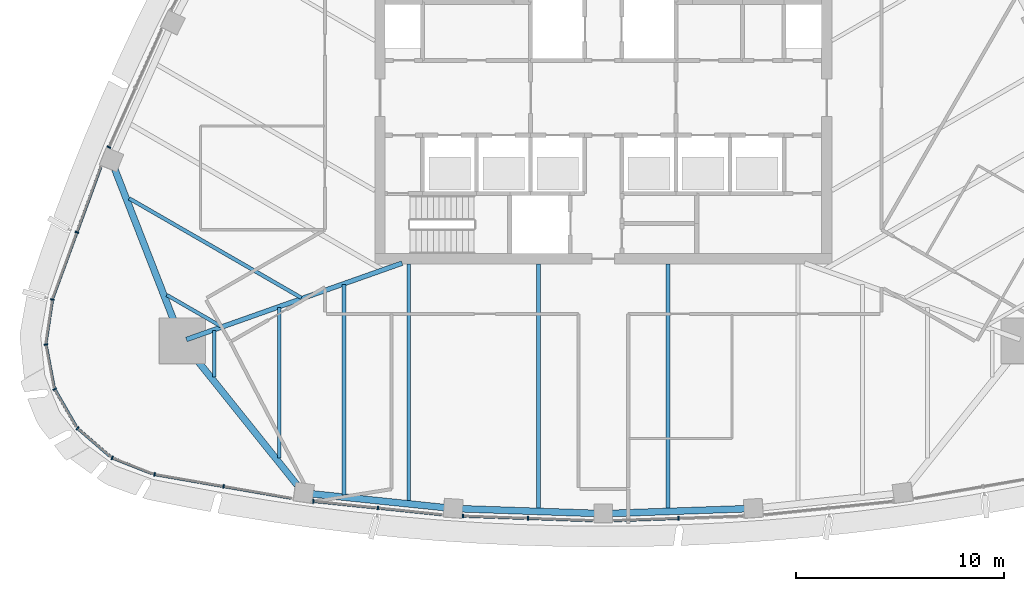
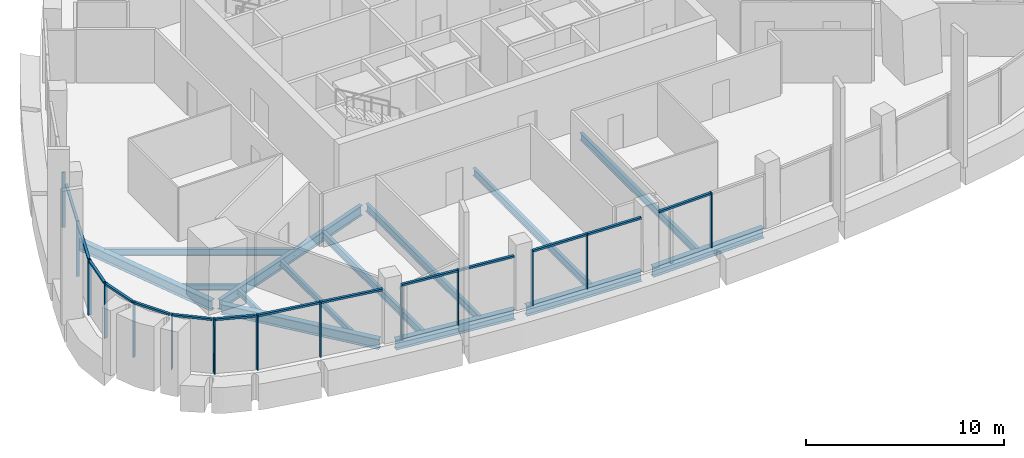
# One storey, part 2 of 16: 28 members, 14 beams, 11 elements without a shape of their own.
"""IFC4 building model written with IfcOpenShell, lengths in metres."""

from ifc_helpers import new_model, si_unit, direction, frame, origin, origin_2d, place, context, subcontext, project, spatial, rectangle, i_section, extrude, material, layer, layer_set, material_profile, profile_set, type_object, element, aggregate, save


model = new_model("IFC4")

# Units and contexts
model_context = context("Model", 3, precision=1e-05, world=origin(), true_north=direction((0.0, 1.0)))
body_context = subcontext(model_context, "Body", "Model", "MODEL_VIEW")
ifc_project = project(units=[si_unit("LENGTHUNIT", "METRE"), si_unit("AREAUNIT", "SQUARE_METRE"), si_unit("VOLUMEUNIT", "CUBIC_METRE"), si_unit("PLANEANGLEUNIT", "RADIAN"), si_unit("MASSUNIT", "GRAM", prefix="KILO")], contexts=[model_context])

# Site, building, storey
site_placement = place(None, origin())
site = spatial("IfcSite", under=ifc_project, at=site_placement, CompositionType="ELEMENT")
building_placement = place(site_placement, origin())
building = spatial("IfcBuilding", under=site, at=building_placement, Name="Sierra Prisma Convention Tower", CompositionType="ELEMENT")
storey_placement = place(building_placement, frame((0.0, 0.0, 303.0)))
storey = spatial("IfcBuildingStorey", under=building, at=storey_placement, Name="L69", CompositionType="ELEMENT", Elevation=303.0)

# Curtain wall, members
ifc_material_1 = material(Name="Aluminium and glass curtain wall", Category="aluminium")
ifc_layer = layer(ifc_material_1, 0.179931640625)
ifc_layer_set = layer_set([ifc_layer], Name="CW-1 Plain shaft curtain wall")
curtain_wall_type = type_object("IfcCurtainWallType", Name="CW-1 Plain shaft curtain wall", PredefinedType="NOTDEFINED", material=ifc_layer_set)
curtain_wall_1_placement = place(storey_placement, origin())
curtain_wall_1 = element("IfcCurtainWall", 1, at=curtain_wall_1_placement, inside=storey, type_object=curtain_wall_type, Name="CW-1 S1 L69", PredefinedType="NOTDEFINED")
ifc_material_2 = material(Name="Aluminium 6063-T6 bronze anodised", Category="aluminium")
ifc_material_profile_1 = material_profile(ifc_material_2, rectangle(XDim=0.179931640625, YDim=0.070068359375, at=origin_2d()), Name="ALU MULLION 70x180")
ifc_profile_set_1 = profile_set([ifc_material_profile_1], Name="Aluminium 6063-T6 bronze anodised")
member_type_1 = type_object("IfcMemberType", Name="CW mullion bronze", PredefinedType="MULLION", material=ifc_profile_set_1)
member_1_placement = place(storey_placement, frame((-21.60009765625, -18.13037109375, 0.0), z_axis=(0.0, 0.0, 1.0), x_axis=(0.171531808858, 0.98517858206, 0.0)))
member_1 = element("IfcMember", 2, at=member_1_placement, type_object=member_type_1, Name="CW-1 mullion S1.1", PredefinedType="MULLION", context=body_context, shape_type="SweptSolid", body=[
    extrude(rectangle(XDim=0.179931640625, YDim=0.070068359375, at=origin_2d()), origin(), (0.0, 0.0, 1.0), 3.39990234375),
])
member_2_placement = place(storey_placement, frame((-18.279052734375, -18.70849609375, 0.0), z_axis=(0.0, 0.0, 1.0), x_axis=(0.171531808858, 0.98517858206, 0.0)))
member_2 = element("IfcMember", 3, at=member_2_placement, type_object=member_type_1, Name="CW-1 mullion S1.2", PredefinedType="MULLION", context=body_context, shape_type="SweptSolid", body=[
    extrude(rectangle(XDim=0.179931640625, YDim=0.070068359375, at=origin_2d()), origin(), (0.0, 0.0, 1.0), 3.39990234375),
])

curtain_wall_2_placement = place(storey_placement, origin())
curtain_wall_2 = element("IfcCurtainWall", 4, at=curtain_wall_2_placement, inside=storey, type_object=curtain_wall_type, Name="CW-1 S2 L69", PredefinedType="NOTDEFINED")
member_3_placement = place(storey_placement, frame((-13.95458984375, -19.424560546875, 0.0), z_axis=(0.0, 0.0, 1.0), x_axis=(0.103246271836, 0.994655823565, 0.0)))
member_3 = element("IfcMember", 5, at=member_3_placement, type_object=member_type_1, Name="CW-1 mullion S2.1", PredefinedType="MULLION", context=body_context, shape_type="SweptSolid", body=[
    extrude(rectangle(XDim=0.179931640625, YDim=0.070068359375, at=origin_2d()), origin(), (0.0, 0.0, 1.0), 3.39990234375),
])
member_4_placement = place(storey_placement, frame((-10.84716796875, -19.7470703125, 0.0), z_axis=(0.0, 0.0, 1.0), x_axis=(0.103246271836, 0.994655823565, 0.0)))
member_4 = element("IfcMember", 6, at=member_4_placement, type_object=member_type_1, Name="CW-1 mullion S2.2", PredefinedType="MULLION", context=body_context, shape_type="SweptSolid", body=[
    extrude(rectangle(XDim=0.179931640625, YDim=0.070068359375, at=origin_2d()), origin(), (0.0, 0.0, 1.0), 3.39990234375),
])

curtain_wall_3_placement = place(storey_placement, origin())
curtain_wall_3 = element("IfcCurtainWall", 7, at=curtain_wall_3_placement, inside=storey, type_object=curtain_wall_type, Name="CW-1 S3 L69", PredefinedType="NOTDEFINED")
member_5_placement = place(storey_placement, frame((-6.7607421875, -20.13671875, 0.0), z_axis=(0.0, 0.0, 1.0), x_axis=(0.034470032902, 0.999405731839, 0.0)))
member_5 = element("IfcMember", 8, at=member_5_placement, type_object=member_type_1, Name="CW-1 mullion S3.1", PredefinedType="MULLION", context=body_context, shape_type="SweptSolid", body=[
    extrude(rectangle(XDim=0.179931640625, YDim=0.070068359375, at=origin_2d()), origin(), (0.0, 0.0, 1.0), 3.39990234375),
])
member_6_placement = place(storey_placement, frame((-3.622802734375, -20.2451171875, 0.0), z_axis=(0.0, 0.0, 1.0), x_axis=(0.034470032902, 0.999405731839, 0.0)))
member_6 = element("IfcMember", 9, at=member_6_placement, type_object=member_type_1, Name="CW-1 mullion S3.2", PredefinedType="MULLION", context=body_context, shape_type="SweptSolid", body=[
    extrude(rectangle(XDim=0.179931640625, YDim=0.070068359375, at=origin_2d()), origin(), (0.0, 0.0, 1.0), 3.39990234375),
])

# Curtain wall, member
curtain_wall_4_placement = place(storey_placement, origin())
curtain_wall_4 = element("IfcCurtainWall", 10, at=curtain_wall_4_placement, inside=storey, type_object=curtain_wall_type, Name="CW-1 S4 L69", PredefinedType="NOTDEFINED")
member_7_placement = place(storey_placement, frame((3.622802734375, -20.2451171875, 0.0), z_axis=(0.0, 0.0, 1.0), x_axis=(-0.034470032902, 0.999405731839, 0.0)))
member_7 = element("IfcMember", 11, at=member_7_placement, type_object=member_type_1, Name="CW-1 mullion S4.2", PredefinedType="MULLION", context=body_context, shape_type="SweptSolid", body=[
    extrude(rectangle(XDim=0.179931640625, YDim=0.070068359375, at=origin_2d()), origin(), (0.0, 0.0, 1.0), 3.39990234375),
])

curtain_wall_5_placement = place(storey_placement, origin())
curtain_wall_5 = element("IfcCurtainWall", 12, at=curtain_wall_5_placement, inside=storey, type_object=curtain_wall_type, Name="CW-1 NW5 L69", PredefinedType="NOTDEFINED")
member_8_placement = place(storey_placement, frame((-23.79931640625, -2.372802734375, 0.0), z_axis=(0.0, 0.0, 1.0), x_axis=(0.913020347147, -0.407914017527, 0.0)))
member_8 = element("IfcMember", 13, at=member_8_placement, type_object=member_type_1, Name="CW-1 mullion NW5.3", PredefinedType="MULLION", context=body_context, shape_type="SweptSolid", body=[
    extrude(rectangle(XDim=0.179931640625, YDim=0.070068359375, at=origin_2d()), origin(), (0.0, 0.0, 1.0), 3.39990234375),
])
aggregate(curtain_wall_5, [member_8])

curtain_wall_6_placement = place(storey_placement, origin())
curtain_wall_6 = element("IfcCurtainWall", 14, at=curtain_wall_6_placement, inside=storey, type_object=curtain_wall_type, Name="CW-1 NW6 L69", PredefinedType="NOTDEFINED")
member_9_placement = place(storey_placement, frame((-25.341552734375, -6.475830078125, 0.0), z_axis=(0.0, 0.0, 1.0), x_axis=(0.938955583757, -0.344038387002, 0.0)))
member_9 = element("IfcMember", 15, at=member_9_placement, type_object=member_type_1, Name="CW-1 mullion NW6.2", PredefinedType="MULLION", context=body_context, shape_type="SweptSolid", body=[
    extrude(rectangle(XDim=0.179931640625, YDim=0.070068359375, at=origin_2d()), origin(), (0.0, 0.0, 1.0), 3.39990234375),
])

curtain_wall_7_placement = place(storey_placement, origin())
curtain_wall_7 = element("IfcCurtainWall", 16, at=curtain_wall_7_placement, inside=storey, type_object=curtain_wall_type, Name="CW-1 SW1 L69", PredefinedType="NOTDEFINED")
member_10_placement = place(storey_placement, frame((-26.5185546875, -9.70849609375, 0.0), z_axis=(0.0, 0.0, 1.0), x_axis=(0.988968908001, -0.148123256135, 0.0)))
member_10 = element("IfcMember", 17, at=member_10_placement, type_object=member_type_1, Name="CW-1 mullion SW1.1", PredefinedType="MULLION", context=body_context, shape_type="SweptSolid", body=[
    extrude(rectangle(XDim=0.179931640625, YDim=0.070068359375, at=origin_2d()), origin(), (0.0, 0.0, 1.0), 3.39990234375),
])

curtain_wall_8_placement = place(storey_placement, origin())
curtain_wall_8 = element("IfcCurtainWall", 18, at=curtain_wall_8_placement, inside=storey, type_object=curtain_wall_type, Name="CW-1 SW2 L69", PredefinedType="NOTDEFINED")
member_11_placement = place(storey_placement, frame((-26.83154296875, -11.87548828125, 0.0), z_axis=(0.0, 0.0, 1.0), x_axis=(0.982479980954, 0.186368149171, 0.0)))
member_11 = element("IfcMember", 19, at=member_11_placement, type_object=member_type_1, Name="CW-1 mullion SW2.1", PredefinedType="MULLION", context=body_context, shape_type="SweptSolid", body=[
    extrude(rectangle(XDim=0.179931640625, YDim=0.070068359375, at=origin_2d()), origin(), (0.0, 0.0, 1.0), 3.39990234375),
])

curtain_wall_9_placement = place(storey_placement, origin())
curtain_wall_9 = element("IfcCurtainWall", 20, at=curtain_wall_9_placement, inside=storey, type_object=curtain_wall_type, Name="CW-1 SW3 L69", PredefinedType="NOTDEFINED")
member_12_placement = place(storey_placement, frame((-26.412109375, -14.024169921875, 0.0), z_axis=(0.0, 0.0, 1.0), x_axis=(0.866025403784, 0.5, 0.0)))
member_12 = element("IfcMember", 21, at=member_12_placement, type_object=member_type_1, Name="CW-1 mullion SW3.1", PredefinedType="MULLION", context=body_context, shape_type="SweptSolid", body=[
    extrude(rectangle(XDim=0.179931640625, YDim=0.070068359375, at=origin_2d()), origin(), (0.0, 0.0, 1.0), 3.39990234375),
])

curtain_wall_10_placement = place(storey_placement, origin())
curtain_wall_10 = element("IfcCurtainWall", 22, at=curtain_wall_10_placement, inside=storey, type_object=curtain_wall_type, Name="CW-1 SW4 L69", PredefinedType="NOTDEFINED")
member_13_placement = place(storey_placement, frame((-25.307373046875, -15.91455078125, 0.0), z_axis=(0.0, 0.0, 1.0), x_axis=(0.652639542115, 0.75766854763, 0.0)))
member_13 = element("IfcMember", 23, at=member_13_placement, type_object=member_type_1, Name="CW-1 mullion SW4.1", PredefinedType="MULLION", context=body_context, shape_type="SweptSolid", body=[
    extrude(rectangle(XDim=0.179931640625, YDim=0.070068359375, at=origin_2d()), origin(), (0.0, 0.0, 1.0), 3.39990234375),
])

curtain_wall_11_placement = place(storey_placement, origin())
curtain_wall_11 = element("IfcCurtainWall", 24, at=curtain_wall_11_placement, inside=storey, type_object=curtain_wall_type, Name="CW-1 SW5 L69", PredefinedType="NOTDEFINED")
member_14_placement = place(storey_placement, frame((-23.64111328125, -17.334716796875, 0.0), z_axis=(0.0, 0.0, 1.0), x_axis=(0.366205951296, 0.930533825949, 0.0)))
member_14 = element("IfcMember", 25, at=member_14_placement, type_object=member_type_1, Name="CW-1 mullion SW5.1", PredefinedType="MULLION", context=body_context, shape_type="SweptSolid", body=[
    extrude(rectangle(XDim=0.179931640625, YDim=0.070068359375, at=origin_2d()), origin(), (0.0, 0.0, 1.0), 3.39990234375),
])

# Member
ifc_material_3 = material(Name="Aluminium 6063-T6 bronze anodised", Category="aluminium")
ifc_material_profile_2 = material_profile(ifc_material_3, rectangle(XDim=0.139892578125, YDim=0.1201171875, at=origin_2d()), Name="ALU TRANSOM 120x140")
ifc_profile_set_2 = profile_set([ifc_material_profile_2], Name="Aluminium 6063-T6 bronze anodised")
member_type_2 = type_object("IfcMemberType", Name="CW transom bronze", PredefinedType="USERDEFINED", material=ifc_profile_set_2)
member_15_placement = place(storey_placement, frame((-21.5654296875, -18.13623046875, 3.340087890625), z_axis=(0.98516829619, -0.171590874412, 0.0), x_axis=(0.171590874412, 0.98516829619, 0.0)))
member_15 = element("IfcMember", 26, at=member_15_placement, type_object=member_type_2, Name="CW-1 transom S1.1", ObjectType="TRANSOM", PredefinedType="USERDEFINED", context=body_context, shape_type="SweptSolid", body=[
    extrude(rectangle(XDim=0.139892578125, YDim=0.1201171875, at=origin_2d()), origin(), (0.0, 0.0, 1.0), 3.301025390625),
])

member_16_placement = place(storey_placement, frame((-18.24462890625, -18.714599609375, 3.340087890625), z_axis=(0.985180796635, -0.171519089144, 0.0), x_axis=(0.171519089144, 0.985180796635, 0.0)))
member_16 = element("IfcMember", 27, at=member_16_placement, type_object=member_type_2, Name="CW-1 transom S1.2", ObjectType="TRANSOM", PredefinedType="USERDEFINED", context=body_context, shape_type="SweptSolid", body=[
    extrude(rectangle(XDim=0.139892578125, YDim=0.1201171875, at=origin_2d()), origin(), (0.0, 0.0, 1.0), 3.30078125),
])

aggregate(curtain_wall_1, [member_1, member_2, member_15, member_16])

member_17_placement = place(storey_placement, frame((-13.919677734375, -19.42822265625, 3.340087890625), z_axis=(0.994659862638, -0.10320735273, 0.0), x_axis=(0.10320735273, 0.994659862638, 0.0)))
member_17 = element("IfcMember", 28, at=member_17_placement, type_object=member_type_2, Name="CW-1 transom S2.1", ObjectType="TRANSOM", PredefinedType="USERDEFINED", context=body_context, shape_type="SweptSolid", body=[
    extrude(rectangle(XDim=0.139892578125, YDim=0.1201171875, at=origin_2d()), origin(), (0.0, 0.0, 1.0), 3.053955078125),
])

member_18_placement = place(storey_placement, frame((-10.812255859375, -19.750732421875, 3.340087890625), z_axis=(0.994659862638, -0.10320735273, 0.0), x_axis=(0.10320735273, 0.994659862638, 0.0)))
member_18 = element("IfcMember", 29, at=member_18_placement, type_object=member_type_2, Name="CW-1 transom S2.2", ObjectType="TRANSOM", PredefinedType="USERDEFINED", context=body_context, shape_type="SweptSolid", body=[
    extrude(rectangle(XDim=0.139892578125, YDim=0.1201171875, at=origin_2d()), origin(), (0.0, 0.0, 1.0), 3.053955078125),
])

aggregate(curtain_wall_2, [member_3, member_4, member_17, member_18])

member_19_placement = place(storey_placement, frame((-6.725830078125, -20.137939453125, 3.340087890625), z_axis=(0.999404203467, -0.034514317204, 0.0), x_axis=(0.034514317204, 0.999404203467, 0.0)))
member_19 = element("IfcMember", 30, at=member_19_placement, type_object=member_type_2, Name="CW-1 transom S3.1", ObjectType="TRANSOM", PredefinedType="USERDEFINED", context=body_context, shape_type="SweptSolid", body=[
    extrude(rectangle(XDim=0.139892578125, YDim=0.1201171875, at=origin_2d()), origin(), (0.0, 0.0, 1.0), 3.06982421875),
])

member_20_placement = place(storey_placement, frame((-3.587646484375, -20.246337890625, 3.340087890625), z_axis=(0.999406849161, -0.034437622608, 0.0), x_axis=(0.034437622608, 0.999406849161, 0.0)))
member_20 = element("IfcMember", 31, at=member_20_placement, type_object=member_type_2, Name="CW-1 transom S3.2", ObjectType="TRANSOM", PredefinedType="USERDEFINED", context=body_context, shape_type="SweptSolid", body=[
    extrude(rectangle(XDim=0.139892578125, YDim=0.1201171875, at=origin_2d()), origin(), (0.0, 0.0, 1.0), 3.069580078125),
])

aggregate(curtain_wall_3, [member_5, member_6, member_19, member_20])

member_21_placement = place(storey_placement, frame((0.519775390625, -20.35205078125, 3.340087890625), z_axis=(0.999406849161, 0.034437622608, 0.0), x_axis=(-0.034437622608, 0.999406849161, 0.0)))
member_21 = element("IfcMember", 32, at=member_21_placement, type_object=member_type_2, Name="CW-1 transom S4.1", ObjectType="TRANSOM", PredefinedType="USERDEFINED", context=body_context, shape_type="SweptSolid", body=[
    extrude(rectangle(XDim=0.139892578125, YDim=0.1201171875, at=origin_2d()), origin(), (0.0, 0.0, 1.0), 3.069580078125),
])

aggregate(curtain_wall_4, [member_7, member_21])

member_22_placement = place(storey_placement, frame((-24.19384765625, -3.34375, 3.340087890625), z_axis=(-0.344069919298, -0.938944029554, 0.0), x_axis=(0.938944029554, -0.344069919298, 0.0)))
member_22 = element("IfcMember", 33, at=member_22_placement, type_object=member_type_2, Name="CW-1 transom NW6.1", ObjectType="TRANSOM", PredefinedType="USERDEFINED", context=body_context, shape_type="SweptSolid", body=[
    extrude(rectangle(XDim=0.139892578125, YDim=0.1201171875, at=origin_2d()), origin(), (0.0, 0.0, 1.0), 3.301025390625),
])

member_23_placement = place(storey_placement, frame((-25.353759765625, -6.5087890625, 3.340087890625), z_axis=(-0.344004710981, -0.938967922148, 0.0), x_axis=(0.938967922148, -0.344004710981, 0.0)))
member_23 = element("IfcMember", 34, at=member_23_placement, type_object=member_type_2, Name="CW-1 transom NW6.2", ObjectType="TRANSOM", PredefinedType="USERDEFINED", context=body_context, shape_type="SweptSolid", body=[
    extrude(rectangle(XDim=0.139892578125, YDim=0.1201171875, at=origin_2d()), origin(), (0.0, 0.0, 1.0), 3.30078125),
])

aggregate(curtain_wall_6, [member_9, member_22, member_23])

member_24_placement = place(storey_placement, frame((-26.523681640625, -9.7431640625, 3.340087890625), z_axis=(-0.148183306125, -0.988959912123, 0.0), x_axis=(0.988959912123, -0.148183306125, 0.0)))
member_24 = element("IfcMember", 35, at=member_24_placement, type_object=member_type_2, Name="CW-1 transom SW1.1", ObjectType="TRANSOM", PredefinedType="USERDEFINED", context=body_context, shape_type="SweptSolid", body=[
    extrude(rectangle(XDim=0.139892578125, YDim=0.1201171875, at=origin_2d()), origin(), (0.0, 0.0, 1.0), 2.05126953125),
])

aggregate(curtain_wall_7, [member_10, member_24])

member_25_placement = place(storey_placement, frame((-26.824951171875, -11.90966796875, 3.340087890625), z_axis=(0.186379208343, -0.982477883058, 0.0), x_axis=(0.982477883058, 0.186379208343, 0.0)))
member_25 = element("IfcMember", 36, at=member_25_placement, type_object=member_type_2, Name="CW-1 transom SW2.1", ObjectType="TRANSOM", PredefinedType="USERDEFINED", context=body_context, shape_type="SweptSolid", body=[
    extrude(rectangle(XDim=0.139892578125, YDim=0.1201171875, at=origin_2d()), origin(), (0.0, 0.0, 1.0), 2.05126953125),
])

aggregate(curtain_wall_8, [member_11, member_25])

member_26_placement = place(storey_placement, frame((-26.39453125, -14.0546875, 3.340087890625), z_axis=(0.500017803555, -0.866015124653, 0.0), x_axis=(0.866015124653, 0.500017803555, 0.0)))
member_26 = element("IfcMember", 37, at=member_26_placement, type_object=member_type_2, Name="CW-1 transom SW3.1", ObjectType="TRANSOM", PredefinedType="USERDEFINED", context=body_context, shape_type="SweptSolid", body=[
    extrude(rectangle(XDim=0.139892578125, YDim=0.1201171875, at=origin_2d()), origin(), (0.0, 0.0, 1.0), 2.05126953125),
])

aggregate(curtain_wall_9, [member_12, member_26])

member_27_placement = place(storey_placement, frame((-25.28076171875, -15.937255859375, 3.340087890625), z_axis=(0.757641284496, -0.652671191357, 0.0), x_axis=(0.652671191357, 0.757641284496, 0.0)))
member_27 = element("IfcMember", 38, at=member_27_placement, type_object=member_type_2, Name="CW-1 transom SW4.1", ObjectType="TRANSOM", PredefinedType="USERDEFINED", context=body_context, shape_type="SweptSolid", body=[
    extrude(rectangle(XDim=0.139892578125, YDim=0.1201171875, at=origin_2d()), origin(), (0.0, 0.0, 1.0), 2.05126953125),
])

aggregate(curtain_wall_10, [member_13, member_27])

member_28_placement = place(storey_placement, frame((-23.6083984375, -17.347412109375, 3.340087890625), z_axis=(0.93052273459, -0.366234133325, 0.0), x_axis=(0.366234133325, 0.93052273459, 0.0)))
member_28 = element("IfcMember", 39, at=member_28_placement, type_object=member_type_2, Name="CW-1 transom SW5.1", ObjectType="TRANSOM", PredefinedType="USERDEFINED", context=body_context, shape_type="SweptSolid", body=[
    extrude(rectangle(XDim=0.139892578125, YDim=0.1201171875, at=origin_2d()), origin(), (0.0, 0.0, 1.0), 2.05126953125),
])

aggregate(curtain_wall_11, [member_14, member_28])

# Beams
ifc_material_4 = material(Name="Steel ASTM A992 Gr 50", Category="steel")
ifc_material_profile_3 = material_profile(ifc_material_4, i_section(OverallWidth=0.172119140625, OverallDepth=0.35791015625, WebThickness=0.0078125, FlangeThickness=0.01318359375, at=origin_2d()), Name="W360x57")
ifc_profile_set_3 = profile_set([ifc_material_profile_3], Name="Steel ASTM A992 Gr 50")
beam_type_1 = type_object("IfcBeamType", Name="Floor joist W360x57", PredefinedType="JOIST", material=ifc_profile_set_3)
beam_1_placement = place(storey_placement, frame((-18.728515625, -13.451904296875, -0.3291015625), z_axis=(0.0, 1.0, 0.0), x_axis=(-1.0, 0.0, 0.0)))
element("IfcBeam", 40, at=beam_1_placement, inside=storey, type_object=beam_type_1, Name="Floor joist L69 S01", PredefinedType="JOIST", context=body_context, shape_type="SweptSolid", body=[
    extrude(i_section(OverallWidth=0.172119140625, OverallDepth=0.35791015625, WebThickness=0.0078125, FlangeThickness=0.01318359375, at=origin_2d()), origin(), (0.0, 0.0, 1.0), 2.24169921875),
])
beam_2_placement = place(storey_placement, frame((-15.607177734375, -17.34716796875, -0.3291015625), z_axis=(0.0, 1.0, 0.0), x_axis=(-1.0, 0.0, 0.0)))
element("IfcBeam", 41, at=beam_2_placement, inside=storey, type_object=beam_type_1, Name="Floor joist L69 S02", PredefinedType="JOIST", context=body_context, shape_type="SweptSolid", body=[
    extrude(i_section(OverallWidth=0.172119140625, OverallDepth=0.35791015625, WebThickness=0.0078125, FlangeThickness=0.01318359375, at=origin_2d()), origin(), (0.0, 0.0, 1.0), 7.2421875),
])
beam_3_placement = place(storey_placement, frame((-21.013916015625, -9.493408203125, -0.3291015625), z_axis=(0.866043787497, -0.499968157123, 0.0), x_axis=(0.499968157123, 0.866043787497, 0.0)))
element("IfcBeam", 42, at=beam_3_placement, inside=storey, type_object=beam_type_1, Name="Floor joist L69 NW13", PredefinedType="JOIST", context=body_context, shape_type="SweptSolid", body=[
    extrude(i_section(OverallWidth=0.172119140625, OverallDepth=0.35791015625, WebThickness=0.0078125, FlangeThickness=0.01318359375, at=origin_2d()), origin(), (0.0, 0.0, 1.0), 3.010498046875),
])
ifc_material_5 = material(Name="Steel ASTM A992 Gr 50", Category="steel")
ifc_material_profile_4 = material_profile(ifc_material_5, i_section(OverallWidth=0.177978515625, OverallDepth=0.406982421875, WebThickness=0.0078125, FlangeThickness=0.0126953125, at=origin_2d()), Name="W410x60")
ifc_profile_set_4 = profile_set([ifc_material_profile_4], Name="Steel ASTM A992 Gr 50")
beam_type_2 = type_object("IfcBeamType", Name="Floor joist W410x60", PredefinedType="JOIST", material=ifc_profile_set_4)
beam_4_placement = place(storey_placement, frame((-22.82666015625, -4.842529296875, -0.353515625), z_axis=(0.866029280787, -0.499993284775, 0.0), x_axis=(0.499993284775, 0.866029280787, 0.0)))
element("IfcBeam", 43, at=beam_4_placement, inside=storey, type_object=beam_type_2, Name="Floor joist L69 NW12", PredefinedType="JOIST", context=body_context, shape_type="SweptSolid", body=[
    extrude(i_section(OverallWidth=0.177978515625, OverallDepth=0.406982421875, WebThickness=0.0078125, FlangeThickness=0.0126953125, at=origin_2d()), origin(), (0.0, 0.0, 1.0), 9.572021484375),
])
ifc_material_6 = material(Name="Steel ASTM A992 Gr 50", Category="steel")
ifc_material_profile_5 = material_profile(ifc_material_6, i_section(OverallWidth=0.18994140625, OverallDepth=0.45703125, WebThickness=0.009033203125, FlangeThickness=0.014404296875, at=origin_2d()), Name="W460x74")
ifc_profile_set_5 = profile_set([ifc_material_profile_5], Name="Steel ASTM A992 Gr 50")
beam_type_3 = type_object("IfcBeamType", Name="Floor joist W460x74", PredefinedType="JOIST", material=ifc_profile_set_5)
beam_5_placement = place(storey_placement, frame((-12.485595703125, -19.112060546875, -0.37841796875), z_axis=(0.0, 1.0, 0.0), x_axis=(-1.0, 0.0, 0.0)))
element("IfcBeam", 44, at=beam_5_placement, inside=storey, type_object=beam_type_3, Name="Floor joist L69 S03", PredefinedType="JOIST", context=body_context, shape_type="SweptSolid", body=[
    extrude(i_section(OverallWidth=0.18994140625, OverallDepth=0.45703125, WebThickness=0.009033203125, FlangeThickness=0.014404296875, at=origin_2d()), origin(), (0.0, 0.0, 1.0), 10.1123046875),
])
beam_6_placement = place(storey_placement, frame((-9.3642578125, -19.43603515625, -0.37841796875), z_axis=(0.0, 1.0, 0.0), x_axis=(-1.0, 0.0, 0.0)))
element("IfcBeam", 45, at=beam_6_placement, inside=storey, type_object=beam_type_3, Name="Floor joist L69 S04", PredefinedType="JOIST", context=body_context, shape_type="SweptSolid", body=[
    extrude(i_section(OverallWidth=0.18994140625, OverallDepth=0.45703125, WebThickness=0.009033203125, FlangeThickness=0.014404296875, at=origin_2d()), origin(), (0.0, 0.0, 1.0), 11.43603515625),
])
for number, where, z_axis, x_axis, name in (
    (46, (-3.121337890625, -19.7998046875, -0.37841796875), (0.0, 1.0, 0.0), (-1.0, 0.0, 0.0), "Floor joist L69 S06"),
    (47, (3.121337890625, -19.7998046875, -0.37841796875), (0.0, 1.0, 0.0), (-1.0, 0.0, 0.0), "Floor joist L69 S08"),
):
    element("IfcBeam", number, at=place(storey_placement, frame(where, z_axis=z_axis, x_axis=x_axis)), inside=storey, type_object=beam_type_3, Name=name, PredefinedType="JOIST", context=body_context, shape_type="SweptSolid", body=[
        extrude(i_section(OverallWidth=0.18994140625, OverallDepth=0.45703125, WebThickness=0.009033203125, FlangeThickness=0.014404296875, at=origin_2d()), origin(), (0.0, 0.0, 1.0), 11.7998046875),
    ])
ifc_material_7 = material(Name="Steel ASTM A992 Gr 50", Category="steel")
ifc_material_profile_6 = material_profile(ifc_material_7, i_section(OverallWidth=0.22998046875, OverallDepth=0.616943359375, WebThickness=0.01318359375, FlangeThickness=0.022216796875, at=origin_2d()), Name="W610x140")
ifc_profile_set_6 = profile_set([ifc_material_profile_6], Name="Steel ASTM A992 Gr 50")
beam_type_4 = type_object("IfcBeamType", Name="Radial girder W610x140", PredefinedType="BEAM", material=ifc_profile_set_6)
beam_7_placement = place(storey_placement, frame((-20.069091796875, -11.635986328125, -0.45849609375), z_axis=(0.942657158687, 0.33376261201, 0.0), x_axis=(-0.33376261201, 0.942657158687, 0.0)))
element("IfcBeam", 48, at=beam_7_placement, inside=storey, type_object=beam_type_4, Name="Radial girder L69 SW", PredefinedType="BEAM", context=body_context, shape_type="SweptSolid", body=[
    extrude(i_section(OverallWidth=0.22998046875, OverallDepth=0.616943359375, WebThickness=0.01318359375, FlangeThickness=0.022216796875, at=origin_2d()), origin(), (0.0, 0.0, 1.0), 11.013916015625),
])
ifc_material_8 = material(Name="Steel ASTM A992 Gr 50", Category="steel")
ifc_material_profile_7 = material_profile(ifc_material_8, i_section(OverallWidth=0.324951171875, OverallDepth=0.615966796875, WebThickness=0.013916015625, FlangeThickness=0.021484375, at=origin_2d()), Name="W610x174")
ifc_profile_set_7 = profile_set([ifc_material_profile_7], Name="Steel ASTM A992 Gr 50")
beam_type_5 = type_object("IfcBeamType", Name="Spandrel beam W610x174", PredefinedType="BEAM", material=ifc_profile_set_7)
beam_8_placement = place(storey_placement, frame((-20.11279296875, -11.93408203125, -0.4580078125), z_axis=(0.625308684948, -0.780377503859, 0.0), x_axis=(0.780377503859, 0.625308684948, 0.0)))
element("IfcBeam", 49, at=beam_8_placement, inside=storey, type_object=beam_type_5, Name="Spandrel L69-01", PredefinedType="BEAM", context=body_context, shape_type="SweptSolid", body=[
    extrude(i_section(OverallWidth=0.324951171875, OverallDepth=0.615966796875, WebThickness=0.013916015625, FlangeThickness=0.021484375, at=origin_2d()), origin(), (0.0, 0.0, 1.0), 8.585205078125),
])
for number, where, z_axis, x_axis, name in (
    (50, (-14.103759765625, -19.057373046875, -0.4580078125), (0.994657545179, -0.103229684772, 0.0), (0.103229684772, 0.994657545179, 0.0), "Spandrel L69-02"),
    (51, (-6.9033203125, -19.781982421875, -0.4580078125), (0.999406528255, -0.034446934268, 0.0), (0.034446934268, 0.999406528255, 0.0), "Spandrel L69-03"),
    (52, (0.330078125, -20.008544921875, -0.4580078125), (0.999406528255, 0.034446934268, 0.0), (-0.034446934268, 0.999406528255, 0.0), "Spandrel L69-04"),
):
    element("IfcBeam", number, at=place(storey_placement, frame(where, z_axis=z_axis, x_axis=x_axis)), inside=storey, type_object=beam_type_5, Name=name, PredefinedType="BEAM", context=body_context, shape_type="SweptSolid", body=[
        extrude(i_section(OverallWidth=0.324951171875, OverallDepth=0.615966796875, WebThickness=0.013916015625, FlangeThickness=0.021484375, at=origin_2d()), origin(), (0.0, 0.0, 1.0), 6.5771484375),
    ])
beam_9_placement = place(storey_placement, frame((-23.509521484375, -3.452392578125, -0.4580078125), z_axis=(0.363177821715, -0.931719845133, 0.0), x_axis=(0.931719845133, 0.363177821715, 0.0)))
element("IfcBeam", 53, at=beam_9_placement, inside=storey, type_object=beam_type_5, Name="Spandrel L69-18", PredefinedType="BEAM", context=body_context, shape_type="SweptSolid", body=[
    extrude(i_section(OverallWidth=0.324951171875, OverallDepth=0.615966796875, WebThickness=0.013916015625, FlangeThickness=0.021484375, at=origin_2d()), origin(), (0.0, 0.0, 1.0), 8.630859375),
])

save(model, "model.ifc")
